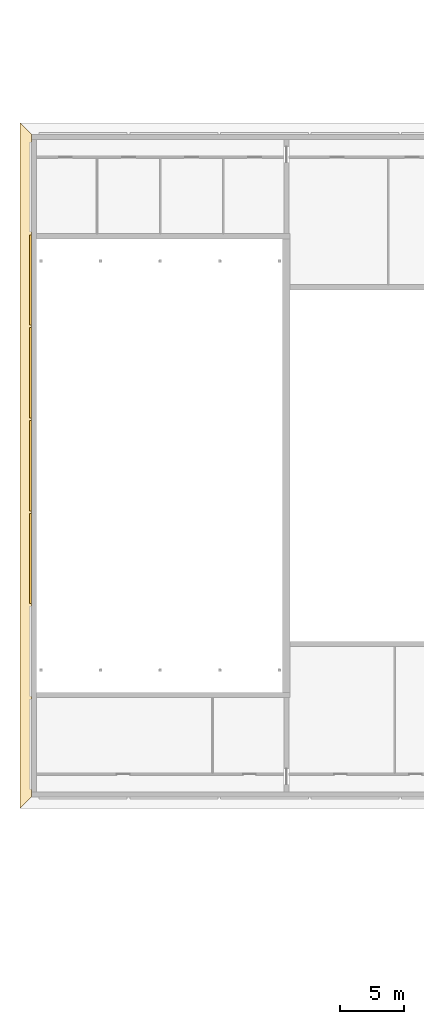
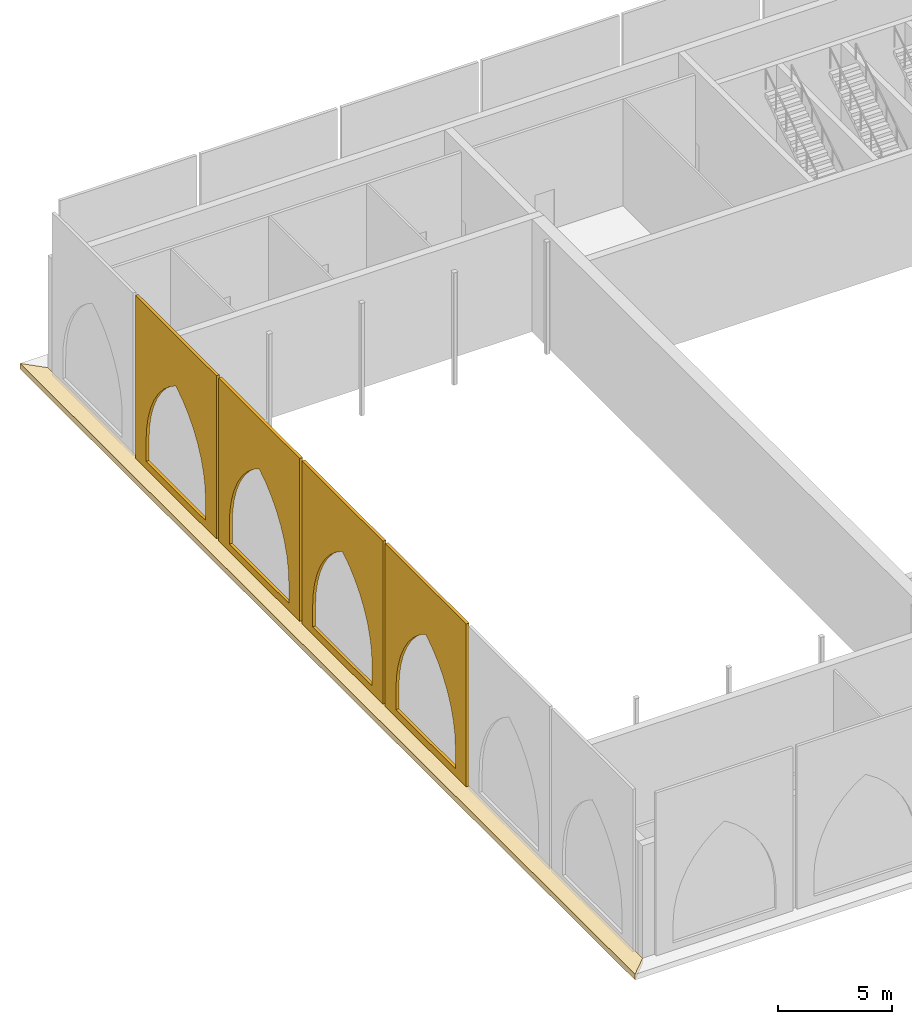
# One storey, part 32 of 74: 5 coverings.
"""IFC4 building model written with IfcOpenShell, lengths in metres."""

from ifc_helpers import new_model, si_unit, direction, frame, origin, place, context, subcontext, project, spatial, polyline, outline, extrude, material, layer, layer_set, type_object, element, save


model = new_model("IFC4")

# Units and contexts
model_context = context("Model", 3, precision=1e-05, world=origin(), true_north=direction((0.0, 1.0)))
body_context = subcontext(model_context, "Body", "Model", "MODEL_VIEW")
ifc_project = project(units=[si_unit("LENGTHUNIT", "METRE"), si_unit("AREAUNIT", "SQUARE_METRE"), si_unit("VOLUMEUNIT", "CUBIC_METRE"), si_unit("PLANEANGLEUNIT", "RADIAN"), si_unit("MASSUNIT", "GRAM", prefix="KILO")], contexts=[model_context])

# Site, building, storey
site_placement = place(None, origin())
site = spatial("IfcSite", under=ifc_project, at=site_placement, CompositionType="ELEMENT")
building_placement = place(site_placement, origin())
building = spatial("IfcBuilding", under=site, at=building_placement, Name="Noorbagh Ring Tower", CompositionType="ELEMENT")
storey_placement = place(building_placement, frame((0.0, 0.0, 13.5)))
storey = spatial("IfcBuildingStorey", under=building, at=storey_placement, Name="L02", CompositionType="ELEMENT", Elevation=13.5)

# Coverings
ifc_material_1 = material(Name="Red sandstone cladding", Category="masonry")
ifc_layer = layer(ifc_material_1, 0.14990234375)
ifc_layer_set = layer_set([ifc_layer], Name="Red sandstone cladding")
covering_type_1 = type_object("IfcCoveringType", Name="STH-BLIND", PredefinedType="USERDEFINED", material=ifc_layer_set)
for number, where, z_axis, x_axis, name in (
    (1, (-160.14990234375, 23.1142578125, 0.0), (-1.0, 0.0, 0.0), (0.0, -1.0, 0.0), "Blind arch bay"),
    (2, (-160.14990234375, 15.82861328125, 0.0), (-1.0, 0.0, 0.0), (0.0, -1.0, 0.0), "Blind arch bay"),
):
    element("IfcCovering", number, at=place(storey_placement, frame(where, z_axis=z_axis, x_axis=x_axis)), inside=storey, type_object=covering_type_1, Name=name, ObjectType="ARCH", PredefinedType="USERDEFINED", context=body_context, shape_type="SweptSolid", body=[
        extrude(outline(polyline([(0.0, 0.0), (7.085693359375, 0.0), (7.085693359375, 8.699951171875), (0.0, 8.699951171875), (0.0, 0.0)]), holes=[polyline([(0.94287109375, 0.39990234375), (0.94287109375, 1.5), (0.9873046875, 2.1787109375), (1.1201171875, 2.845947265625), (1.338623046875, 3.489990234375), (1.6396484375, 4.10009765625), (2.017578125, 4.66552734375), (2.4658203125, 5.177001953125), (2.977294921875, 5.62548828125), (3.54296875, 6.00341796875), (4.1083984375, 5.62548828125), (4.619873046875, 5.177001953125), (5.068359375, 4.66552734375), (5.4462890625, 4.10009765625), (5.7470703125, 3.489990234375), (5.9658203125, 2.845947265625), (6.098388671875, 2.1787109375), (6.142822265625, 1.5), (6.142822265625, 0.39990234375), (0.94287109375, 0.39990234375)])]), origin(), (0.0, 0.0, -1.0), 0.14990234375),
    ])
covering_1_placement = place(storey_placement, frame((-160.14990234375, 8.54296875, 0.0), z_axis=(-1.0, 0.0, 0.0), x_axis=(0.0, -1.0, 0.0)))
element("IfcCovering", 3, at=covering_1_placement, inside=storey, type_object=covering_type_1, Name="Blind arch bay", ObjectType="ARCH", PredefinedType="USERDEFINED", context=body_context, shape_type="SweptSolid", body=[
    extrude(outline(polyline([(0.0, 0.0), (7.0859375, 0.0), (7.0859375, 8.699951171875), (0.0, 8.699951171875), (0.0, 0.0)]), holes=[polyline([(0.94287109375, 0.39990234375), (0.94287109375, 1.5), (0.9873046875, 2.1787109375), (1.1201171875, 2.845947265625), (1.338623046875, 3.489990234375), (1.6396484375, 4.10009765625), (2.017578125, 4.66552734375), (2.4658203125, 5.177001953125), (2.977294921875, 5.62548828125), (3.54296875, 6.00341796875), (4.1083984375, 5.62548828125), (4.619873046875, 5.177001953125), (5.068359375, 4.66552734375), (5.4462890625, 4.10009765625), (5.7470703125, 3.489990234375), (5.9658203125, 2.845947265625), (6.098388671875, 2.1787109375), (6.142822265625, 1.5), (6.142822265625, 0.39990234375), (0.94287109375, 0.39990234375)])]), origin(), (0.0, 0.0, -1.0), 0.14990234375),
])
covering_2_placement = place(storey_placement, frame((-160.14990234375, 1.257080078125, 0.0), z_axis=(-1.0, 0.0, 0.0), x_axis=(0.0, -1.0, 0.0)))
element("IfcCovering", 4, at=covering_2_placement, inside=storey, type_object=covering_type_1, Name="Blind arch bay", ObjectType="ARCH", PredefinedType="USERDEFINED", context=body_context, shape_type="SweptSolid", body=[
    extrude(outline(polyline([(0.0, 0.0), (7.085693359375, 0.0), (7.085693359375, 8.699951171875), (0.0, 8.699951171875), (0.0, 0.0)]), holes=[polyline([(0.94287109375, 0.39990234375), (0.94287109375, 1.5), (0.9873046875, 2.1787109375), (1.1201171875, 2.845947265625), (1.338623046875, 3.489990234375), (1.6396484375, 4.10009765625), (2.017578125, 4.66552734375), (2.4658203125, 5.177001953125), (2.977294921875, 5.62548828125), (3.54296875, 6.00341796875), (4.1083984375, 5.62548828125), (4.619873046875, 5.177001953125), (5.068359375, 4.66552734375), (5.4462890625, 4.10009765625), (5.7470703125, 3.489990234375), (5.9658203125, 2.845947265625), (6.098388671875, 2.1787109375), (6.142822265625, 1.5), (6.142822265625, 0.39990234375), (0.94287109375, 0.39990234375)])]), origin(), (0.0, 0.0, -1.0), 0.14990234375),
])
ifc_material_2 = material(Name="Red sandstone eave", Category="masonry")
covering_type_2 = type_object("IfcCoveringType", Name="STH-CHHAJJA", PredefinedType="USERDEFINED", material=ifc_material_2)
covering_3_placement = place(storey_placement, frame((0.0, 0.0, -0.300048828125)))
element("IfcCovering", 5, at=covering_3_placement, inside=storey, type_object=covering_type_2, Name="Chhajja eave", ObjectType="CHHAJJA", PredefinedType="USERDEFINED", context=body_context, shape_type="SweptSolid", body=[
    extrude(outline(polyline([(-160.0, -21.0), (-160.0, 31.0), (-160.89990234375, 31.89990234375), (-160.89990234375, -21.89990234375), (-160.0, -21.0)])), origin(), (0.0, 0.0, 1.0), 0.300048828125),
])

save(model, "model.ifc")
